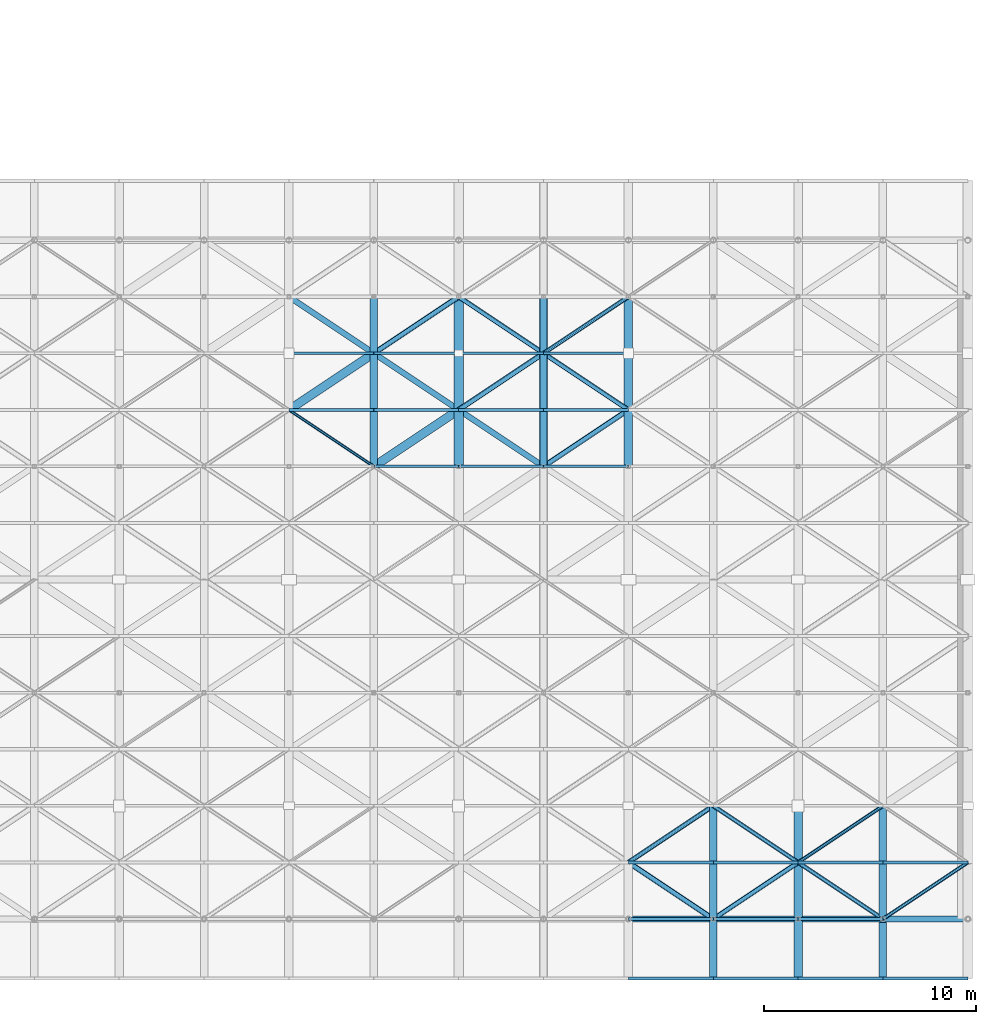
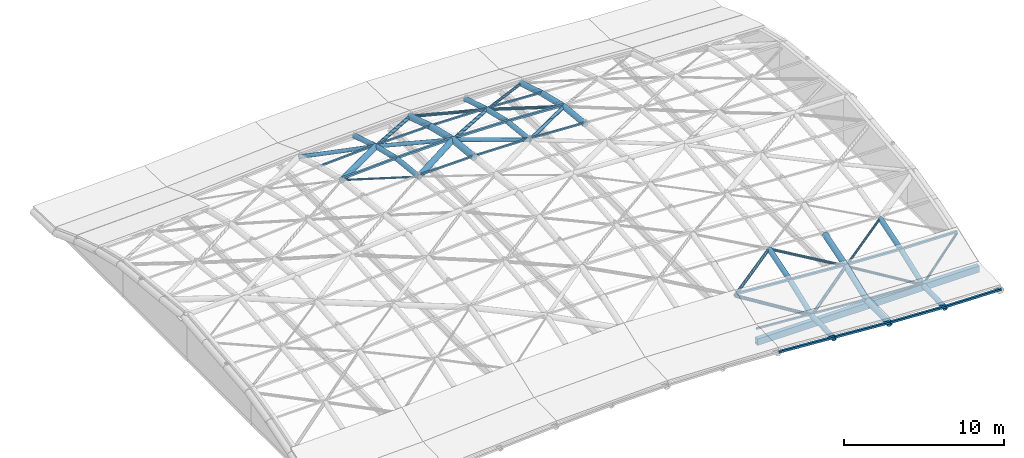
# One storey, part 5 of 20: 41 members, 23 beams.
"""IFC4 building model written with IfcOpenShell, lengths in metres."""

from ifc_helpers import new_model, si_unit, direction, frame, origin, origin_2d, place, context, subcontext, project, spatial, hollow_rectangle, hollow_circle, extrude, material, material_profile, profile_set, type_object, element, save


model = new_model("IFC4")

# Units and contexts
model_context = context("Model", 3, precision=1e-05, world=origin(), true_north=direction((0.0, 1.0)))
body_context = subcontext(model_context, "Body", "Model", "MODEL_VIEW")
ifc_project = project(units=[si_unit("LENGTHUNIT", "METRE"), si_unit("AREAUNIT", "SQUARE_METRE"), si_unit("VOLUMEUNIT", "CUBIC_METRE"), si_unit("PLANEANGLEUNIT", "RADIAN"), si_unit("MASSUNIT", "GRAM", prefix="KILO")], contexts=[model_context])

# Site, building, storey
site_placement = place(None, origin())
site = spatial("IfcSite", under=ifc_project, at=site_placement, CompositionType="ELEMENT")
building_placement = place(site_placement, origin())
building = spatial("IfcBuilding", under=site, at=building_placement, Name="Tenunan Teduh Sports Hall", CompositionType="ELEMENT")
storey_placement = place(building_placement, frame((0.0, 0.0, 23.39990234375)))
storey = spatial("IfcBuildingStorey", under=building, at=storey_placement, Name="RF", CompositionType="ELEMENT", Elevation=23.39990234375)

# Beams
ifc_material_1 = material(Name="Steel S355", Category="steel")
ifc_material_profile_1 = material_profile(ifc_material_1, hollow_circle(Radius=0.177734375, WallThickness=0.012451171875, at=origin_2d()), Name="CHS 355.6x12.5")
ifc_profile_set_1 = profile_set([ifc_material_profile_1], Name="Steel S355")
beam_type_1 = type_object("IfcBeamType", Name="GSB-CHS356", PredefinedType="BEAM", material=ifc_profile_set_1)
beam_1_placement = place(storey_placement, frame((26.0, 35.333251953125, 3.3974609375), z_axis=(0.0, 0.994784282387, -0.102001134878), x_axis=(-1.0, 0.0, 0.0)))
element("IfcBeam", 1, at=beam_1_placement, inside=storey, type_object=beam_type_1, Name="Gridshell Vault Arch BM-GR-04-RF-0346", PredefinedType="BEAM", context=body_context, shape_type="SweptSolid", body=[
    extrude(hollow_circle(Radius=0.177734375, WallThickness=0.012451171875, at=origin_2d()), origin(), (0.0, 0.0, 1.0), 2.6806640625),
])
beam_2_placement = place(storey_placement, frame((26.0, 38.0, 3.1240234375), z_axis=(0.0, 0.972012875749, -0.234927583263), x_axis=(-1.0, 0.0, 0.0)))
element("IfcBeam", 2, at=beam_2_placement, inside=storey, type_object=beam_type_1, Name="Gridshell Vault Arch BM-GR-04-RF-0347", PredefinedType="BEAM", context=body_context, shape_type="SweptSolid", body=[
    extrude(hollow_circle(Radius=0.177734375, WallThickness=0.012451171875, at=origin_2d()), origin(), (0.0, 0.0, 1.0), 2.74365234375),
])
beam_3_placement = place(storey_placement, frame((26.0, 40.666748046875, 2.4794921875), z_axis=(0.0, 0.955399948598, -0.295314981365), x_axis=(-1.0, 0.0, 0.0)))
element("IfcBeam", 3, at=beam_3_placement, inside=storey, type_object=beam_type_1, Name="Gridshell Vault Arch BM-GR-04-RF-0348", PredefinedType="BEAM", context=body_context, shape_type="SweptSolid", body=[
    extrude(hollow_circle(Radius=0.177734375, WallThickness=0.012451171875, at=origin_2d()), origin(), (0.0, 0.0, 1.0), 2.791015625),
])
beam_4_placement = place(storey_placement, frame((34.0, 35.333251953125, 3.3974609375), z_axis=(0.0, 0.994784282387, -0.102001134878), x_axis=(-1.0, 0.0, 0.0)))
element("IfcBeam", 4, at=beam_4_placement, inside=storey, type_object=beam_type_1, Name="Gridshell Vault Arch BM-GR-04-RF-0374", PredefinedType="BEAM", context=body_context, shape_type="SweptSolid", body=[
    extrude(hollow_circle(Radius=0.177734375, WallThickness=0.012451171875, at=origin_2d()), origin(), (0.0, 0.0, 1.0), 2.6806640625),
])
beam_5_placement = place(storey_placement, frame((34.0, 38.0, 3.1240234375), z_axis=(0.0, 0.972012875749, -0.234927583263), x_axis=(-1.0, 0.0, 0.0)))
element("IfcBeam", 5, at=beam_5_placement, inside=storey, type_object=beam_type_1, Name="Gridshell Vault Arch BM-GR-04-RF-0375", PredefinedType="BEAM", context=body_context, shape_type="SweptSolid", body=[
    extrude(hollow_circle(Radius=0.177734375, WallThickness=0.012451171875, at=origin_2d()), origin(), (0.0, 0.0, 1.0), 2.74365234375),
])
beam_6_placement = place(storey_placement, frame((34.0, 40.666748046875, 2.4794921875), z_axis=(0.0, 0.955399948598, -0.295314981365), x_axis=(-1.0, 0.0, 0.0)))
element("IfcBeam", 6, at=beam_6_placement, inside=storey, type_object=beam_type_1, Name="Gridshell Vault Arch BM-GR-04-RF-0376", PredefinedType="BEAM", context=body_context, shape_type="SweptSolid", body=[
    extrude(hollow_circle(Radius=0.177734375, WallThickness=0.012451171875, at=origin_2d()), origin(), (0.0, 0.0, 1.0), 2.791015625),
])
beam_7_placement = place(storey_placement, frame((42.0, 11.199951171875, 0.0927734375), z_axis=(0.0, 0.999610985869, 0.027890445155), x_axis=(-1.0, 0.0, 0.0)))
element("IfcBeam", 7, at=beam_7_placement, inside=storey, type_object=beam_type_1, Name="Gridshell Vault Arch BM-GR-04-RF-0393", PredefinedType="BEAM", context=body_context, shape_type="SweptSolid", body=[
    extrude(hollow_circle(Radius=0.177734375, WallThickness=0.012451171875, at=origin_2d()), origin(), (0.0, 0.0, 1.0), 2.801025390625),
])
beam_8_placement = place(storey_placement, frame((42.0, 14.0, 0.1708984375), z_axis=(0.0, 0.935428675248, 0.353515478479), x_axis=(-1.0, 0.0, 0.0)))
element("IfcBeam", 8, at=beam_8_placement, inside=storey, type_object=beam_type_1, Name="Gridshell Vault Arch BM-GR-04-RF-0394", PredefinedType="BEAM", context=body_context, shape_type="SweptSolid", body=[
    extrude(hollow_circle(Radius=0.177734375, WallThickness=0.012451171875, at=origin_2d()), origin(), (0.0, 0.0, 1.0), 2.850830078125),
])
beam_9_placement = place(storey_placement, frame((42.0, 16.666748046875, 1.1787109375), z_axis=(0.0, 0.955399948598, 0.295314981365), x_axis=(-1.0, 0.0, 0.0)))
element("IfcBeam", 9, at=beam_9_placement, inside=storey, type_object=beam_type_1, Name="Gridshell Vault Arch BM-GR-04-RF-0395", PredefinedType="BEAM", context=body_context, shape_type="SweptSolid", body=[
    extrude(hollow_circle(Radius=0.177734375, WallThickness=0.012451171875, at=origin_2d()), origin(), (0.0, 0.0, 1.0), 2.791015625),
])
beam_10_placement = place(storey_placement, frame((50.0, 11.199951171875, -0.3837890625), z_axis=(0.0, 0.999608075745, 0.027994551361), x_axis=(-1.0, 0.0, 0.0)))
element("IfcBeam", 10, at=beam_10_placement, inside=storey, type_object=beam_type_1, Name="Gridshell Vault Arch BM-GR-04-RF-0421", PredefinedType="BEAM", context=body_context, shape_type="SweptSolid", body=[
    extrude(hollow_circle(Radius=0.177734375, WallThickness=0.012451171875, at=origin_2d()), origin(), (0.0, 0.0, 1.0), 2.651123046875),
])
beam_11_placement = place(storey_placement, frame((50.0, 14.14990234375, -0.2431640625), z_axis=(0.0, 0.936146189375, 0.351611023888), x_axis=(-1.0, 0.0, 0.0)))
element("IfcBeam", 11, at=beam_11_placement, inside=storey, type_object=beam_type_1, Name="Gridshell Vault Arch BM-GR-04-RF-0422", PredefinedType="BEAM", context=body_context, shape_type="SweptSolid", body=[
    extrude(hollow_circle(Radius=0.177734375, WallThickness=0.012451171875, at=origin_2d()), origin(), (0.0, 0.0, 1.0), 2.6884765625),
])
beam_12_placement = place(storey_placement, frame((50.0, 16.666748046875, 0.7021484375), z_axis=(0.0, 0.955399948598, 0.295314981365), x_axis=(-1.0, 0.0, 0.0)))
element("IfcBeam", 12, at=beam_12_placement, inside=storey, type_object=beam_type_1, Name="Gridshell Vault Arch BM-GR-04-RF-0423", PredefinedType="BEAM", context=body_context, shape_type="SweptSolid", body=[
    extrude(hollow_circle(Radius=0.177734375, WallThickness=0.012451171875, at=origin_2d()), origin(), (0.0, 0.0, 1.0), 2.791015625),
])
ifc_material_2 = material(Name="Steel S355", Category="steel")
ifc_material_profile_2 = material_profile(ifc_material_2, hollow_circle(Radius=0.203125, WallThickness=0.01611328125, at=origin_2d()), Name="CHS 406.4x16.0")
ifc_profile_set_2 = profile_set([ifc_material_profile_2], Name="Steel S355")
beam_type_2 = type_object("IfcBeamType", Name="GSB-CHS406", PredefinedType="BEAM", material=ifc_profile_set_2)
beam_13_placement = place(storey_placement, frame((38.0, 35.333251953125, 3.1943359375), z_axis=(0.0, 0.994784282387, -0.102001134878), x_axis=(-1.0, 0.0, 0.0)))
element("IfcBeam", 13, at=beam_13_placement, inside=storey, type_object=beam_type_2, Name="Gridshell Vault Arch BM-GA-02-RF-0388", PredefinedType="BEAM", context=body_context, shape_type="SweptSolid", body=[
    extrude(hollow_circle(Radius=0.203125, WallThickness=0.01611328125, at=origin_2d()), origin(), (0.0, 0.0, 1.0), 2.6806640625),
])
beam_14_placement = place(storey_placement, frame((38.0, 38.0, 2.9208984375), z_axis=(0.0, 0.972012875749, -0.234927583263), x_axis=(-1.0, 0.0, 0.0)))
element("IfcBeam", 14, at=beam_14_placement, inside=storey, type_object=beam_type_2, Name="Gridshell Vault Arch BM-GA-02-RF-0389", PredefinedType="BEAM", context=body_context, shape_type="SweptSolid", body=[
    extrude(hollow_circle(Radius=0.203125, WallThickness=0.01611328125, at=origin_2d()), origin(), (0.0, 0.0, 1.0), 2.74365234375),
])
beam_15_placement = place(storey_placement, frame((38.0, 40.666748046875, 2.2763671875), z_axis=(0.0, 0.955399948598, -0.295314981365), x_axis=(-1.0, 0.0, 0.0)))
element("IfcBeam", 15, at=beam_15_placement, inside=storey, type_object=beam_type_2, Name="Gridshell Vault Arch BM-GA-02-RF-0390", PredefinedType="BEAM", context=body_context, shape_type="SweptSolid", body=[
    extrude(hollow_circle(Radius=0.203125, WallThickness=0.01611328125, at=origin_2d()), origin(), (0.0, 0.0, 1.0), 2.791015625),
])
beam_16_placement = place(storey_placement, frame((46.0, 11.199951171875, -0.1845703125), z_axis=(0.0, 0.999610985869, 0.027890445155), x_axis=(-1.0, 0.0, 0.0)))
element("IfcBeam", 16, at=beam_16_placement, inside=storey, type_object=beam_type_2, Name="Gridshell Vault Arch BM-GA-02-RF-0407", PredefinedType="BEAM", context=body_context, shape_type="SweptSolid", body=[
    extrude(hollow_circle(Radius=0.203125, WallThickness=0.01611328125, at=origin_2d()), origin(), (0.0, 0.0, 1.0), 2.801025390625),
])
beam_17_placement = place(storey_placement, frame((46.0, 14.0, -0.1064453125), z_axis=(0.0, 0.935428675248, 0.353515478479), x_axis=(-1.0, 0.0, 0.0)))
element("IfcBeam", 17, at=beam_17_placement, inside=storey, type_object=beam_type_2, Name="Gridshell Vault Arch BM-GA-02-RF-0408", PredefinedType="BEAM", context=body_context, shape_type="SweptSolid", body=[
    extrude(hollow_circle(Radius=0.203125, WallThickness=0.01611328125, at=origin_2d()), origin(), (0.0, 0.0, 1.0), 2.850830078125),
])
beam_18_placement = place(storey_placement, frame((46.0, 16.666748046875, 0.9013671875), z_axis=(0.0, 0.955399948598, 0.295314981365), x_axis=(-1.0, 0.0, 0.0)))
element("IfcBeam", 18, at=beam_18_placement, inside=storey, type_object=beam_type_2, Name="Gridshell Vault Arch BM-GA-02-RF-0409", PredefinedType="BEAM", context=body_context, shape_type="SweptSolid", body=[
    extrude(hollow_circle(Radius=0.203125, WallThickness=0.01611328125, at=origin_2d()), origin(), (0.0, 0.0, 1.0), 2.791015625),
])
ifc_material_3 = material(Name="Steel S355", Category="steel")
ifc_material_profile_3 = material_profile(ifc_material_3, hollow_circle(Radius=0.228515625, WallThickness=0.01611328125, at=origin_2d()), Name="CHS 457.0x16.0")
ifc_profile_set_3 = profile_set([ifc_material_profile_3], Name="Steel S355")
beam_type_3 = type_object("IfcBeamType", Name="GSB-CHS457", PredefinedType="BEAM", material=ifc_profile_set_3)
beam_19_placement = place(storey_placement, frame((30.0, 35.333251953125, 3.4716796875), z_axis=(0.0, 0.994784282387, -0.102001134878), x_axis=(-1.0, 0.0, 0.0)))
element("IfcBeam", 19, at=beam_19_placement, inside=storey, type_object=beam_type_3, Name="Gridshell Vault Arch BM-GA-01-RF-0360", PredefinedType="BEAM", context=body_context, shape_type="SweptSolid", body=[
    extrude(hollow_circle(Radius=0.228515625, WallThickness=0.01611328125, at=origin_2d()), origin(), (0.0, 0.0, 1.0), 2.6806640625),
])
beam_20_placement = place(storey_placement, frame((30.0, 38.0, 3.1982421875), z_axis=(0.0, 0.972012875749, -0.234927583263), x_axis=(-1.0, 0.0, 0.0)))
element("IfcBeam", 20, at=beam_20_placement, inside=storey, type_object=beam_type_3, Name="Gridshell Vault Arch BM-GA-01-RF-0361", PredefinedType="BEAM", context=body_context, shape_type="SweptSolid", body=[
    extrude(hollow_circle(Radius=0.228515625, WallThickness=0.01611328125, at=origin_2d()), origin(), (0.0, 0.0, 1.0), 2.74365234375),
])
beam_21_placement = place(storey_placement, frame((30.0, 40.666748046875, 2.5537109375), z_axis=(0.0, 0.955399948598, -0.295314981365), x_axis=(-1.0, 0.0, 0.0)))
element("IfcBeam", 21, at=beam_21_placement, inside=storey, type_object=beam_type_3, Name="Gridshell Vault Arch BM-GA-01-RF-0362", PredefinedType="BEAM", context=body_context, shape_type="SweptSolid", body=[
    extrude(hollow_circle(Radius=0.228515625, WallThickness=0.01611328125, at=origin_2d()), origin(), (0.0, 0.0, 1.0), 2.791015625),
])

# Members
ifc_material_4 = material(Name="Steel S355", Category="steel")
ifc_material_profile_4 = material_profile(ifc_material_4, hollow_circle(Radius=0.06982421875, WallThickness=0.00634765625, at=origin_2d()), Name="CHS 139.7x6.3")
ifc_profile_set_4 = profile_set([ifc_material_profile_4], Name="Steel S355")
member_type_1 = type_object("IfcMemberType", Name="MEM-BR-CHS140", PredefinedType="BRACE", material=ifc_profile_set_4)
member_1_placement = place(storey_placement, frame((22.0, 38.0, 2.9208984375), z_axis=(0.827984222016, -0.552006326726, 0.098646557701), x_axis=(0.554711915519, 0.832042481356, 0.0)))
element("IfcMember", 22, at=member_1_placement, inside=storey, type_object=member_type_1, Name="MEM-GD-05-RF-0641", PredefinedType="BRACE", context=body_context, shape_type="SweptSolid", body=[
    extrude(hollow_circle(Radius=0.06982421875, WallThickness=0.00634765625, at=origin_2d()), origin(), (0.0, 0.0, 1.0), 4.8310546875),
])
ifc_material_5 = material(Name="Steel S355", Category="steel")
ifc_material_profile_5 = material_profile(ifc_material_5, hollow_circle(Radius=0.084228515625, WallThickness=0.008056640625, at=origin_2d()), Name="CHS 168.3x8.0")
ifc_profile_set_5 = profile_set([ifc_material_profile_5], Name="Steel S355")
member_type_2 = type_object("IfcMemberType", Name="MEM-BR-CHS168", PredefinedType="BRACE", material=ifc_profile_set_5)
member_2_placement = place(storey_placement, frame((46.0, 16.666748046875, 0.9013671875), z_axis=(0.825121757289, 0.550047597235, 0.128925274576), x_axis=(-0.554676756648, 0.832065920246, 0.0)))
element("IfcMember", 23, at=member_2_placement, inside=storey, type_object=member_type_2, Name="MEM-GD-04-RF-0796", PredefinedType="BRACE", context=body_context, shape_type="SweptSolid", body=[
    extrude(hollow_circle(Radius=0.084228515625, WallThickness=0.008056640625, at=origin_2d()), origin(), (0.0, 0.0, 1.0), 4.84765625),
])
member_3_placement = place(storey_placement, frame((50.0, 14.0, -0.3056640625), z_axis=(0.816783485072, 0.544538940884, 0.190635989192), x_axis=(-0.554711915519, 0.832042481356, 0.0)))
element("IfcMember", 24, at=member_3_placement, inside=storey, type_object=member_type_2, Name="MEM-GD-04-RF-0820", PredefinedType="BRACE", context=body_context, shape_type="SweptSolid", body=[
    extrude(hollow_circle(Radius=0.084228515625, WallThickness=0.008056640625, at=origin_2d()), origin(), (0.0, 0.0, 1.0), 4.897216796875),
])
ifc_material_6 = material(Name="Steel S355", Category="steel")
ifc_material_profile_6 = material_profile(ifc_material_6, hollow_circle(Radius=0.096923828125, WallThickness=0.008056640625, at=origin_2d()), Name="CHS 193.7x8.0")
ifc_profile_set_6 = profile_set([ifc_material_profile_6], Name="Steel S355")
member_type_3 = type_object("IfcMemberType", Name="MEM-BR-CHS194", PredefinedType="BRACE", material=ifc_profile_set_6)
member_4_placement = place(storey_placement, frame((34.0, 40.666748046875, 2.4794921875), z_axis=(0.81369284432, 0.542428786967, -0.208985564508), x_axis=(-0.554676756648, 0.832065920246, 0.0)))
element("IfcMember", 25, at=member_4_placement, inside=storey, type_object=member_type_3, Name="MEM-GD-03-RF-0724", PredefinedType="BRACE", context=body_context, shape_type="SweptSolid", body=[
    extrude(hollow_circle(Radius=0.096923828125, WallThickness=0.008056640625, at=origin_2d()), origin(), (0.0, 0.0, 1.0), 4.915771484375),
])
member_5_placement = place(storey_placement, frame((42.0, 19.333251953125, 2.0029296875), z_axis=(0.811045695554, -0.540664128836, -0.223354381002), x_axis=(0.554676756648, 0.832065920246, 0.0)))
element("IfcMember", 26, at=member_5_placement, inside=storey, type_object=member_type_3, Name="MEM-GD-03-RF-0769", PredefinedType="BRACE", context=body_context, shape_type="SweptSolid", body=[
    extrude(hollow_circle(Radius=0.096923828125, WallThickness=0.008056640625, at=origin_2d()), origin(), (0.0, 0.0, 1.0), 4.931884765625),
])
member_6_placement = place(storey_placement, frame((46.0, 16.666748046875, 0.9013671875), z_axis=(0.806995177005, -0.538013203029, -0.243517099311), x_axis=(0.554711915519, 0.832042481356, 0.0)))
element("IfcMember", 27, at=member_6_placement, inside=storey, type_object=member_type_3, Name="MEM-GD-03-RF-0795", PredefinedType="BRACE", context=body_context, shape_type="SweptSolid", body=[
    extrude(hollow_circle(Radius=0.096923828125, WallThickness=0.008056640625, at=origin_2d()), origin(), (0.0, 0.0, 1.0), 4.95654296875),
])
ifc_material_7 = material(Name="Steel S355", Category="steel")
ifc_material_profile_7 = material_profile(ifc_material_7, hollow_circle(Radius=0.109619140625, WallThickness=0.010009765625, at=origin_2d()), Name="CHS 219.1x10.0")
ifc_profile_set_7 = profile_set([ifc_material_profile_7], Name="Steel S355")
member_type_4 = type_object("IfcMemberType", Name="MEM-BR-CHS219", PredefinedType="BRACE", material=ifc_profile_set_7)
member_7_placement = place(storey_placement, frame((30.0, 43.333251953125, 1.7294921875), z_axis=(0.822120918816, -0.548047160358, 0.154147672278), x_axis=(0.554676756648, 0.832065920246, 0.0)))
element("IfcMember", 28, at=member_7_placement, inside=storey, type_object=member_type_4, Name="MEM-GD-02-RF-0697", PredefinedType="BRACE", context=body_context, shape_type="SweptSolid", body=[
    extrude(hollow_circle(Radius=0.109619140625, WallThickness=0.010009765625, at=origin_2d()), origin(), (0.0, 0.0, 1.0), 4.865478515625),
])
member_8_placement = place(storey_placement, frame((34.0, 40.666748046875, 2.4794921875), z_axis=(0.828557278372, -0.552388375955, 0.091432590289), x_axis=(0.554711915519, 0.832042481356, 0.0)))
element("IfcMember", 29, at=member_8_placement, inside=storey, type_object=member_type_4, Name="MEM-GD-02-RF-0723", PredefinedType="BRACE", context=body_context, shape_type="SweptSolid", body=[
    extrude(hollow_circle(Radius=0.109619140625, WallThickness=0.010009765625, at=origin_2d()), origin(), (0.0, 0.0, 1.0), 4.82763671875),
])
member_9_placement = place(storey_placement, frame((38.0, 16.666748046875, 1.4521484375), z_axis=(0.826657985926, 0.551071687151, 0.113826929703), x_axis=(-0.554676756648, 0.832065920246, 0.0)))
element("IfcMember", 30, at=member_9_placement, inside=storey, type_object=member_type_4, Name="MEM-GD-02-RF-0742", PredefinedType="BRACE", context=body_context, shape_type="SweptSolid", body=[
    extrude(hollow_circle(Radius=0.109619140625, WallThickness=0.010009765625, at=origin_2d()), origin(), (0.0, 0.0, 1.0), 4.8388671875),
])
member_10_placement = place(storey_placement, frame((42.0, 14.0, 0.1708984375), z_axis=(0.822600824873, 0.548417285772, 0.150221049073), x_axis=(-0.554711915519, 0.832042481356, 0.0)))
element("IfcMember", 31, at=member_10_placement, inside=storey, type_object=member_type_4, Name="MEM-GD-02-RF-0768", PredefinedType="BRACE", context=body_context, shape_type="SweptSolid", body=[
    extrude(hollow_circle(Radius=0.109619140625, WallThickness=0.010009765625, at=origin_2d()), origin(), (0.0, 0.0, 1.0), 4.862548828125),
])
ifc_material_8 = material(Name="Steel S355", Category="steel")
ifc_material_profile_8 = material_profile(ifc_material_8, hollow_circle(Radius=0.122314453125, WallThickness=0.010009765625, at=origin_2d()), Name="CHS 244.5x10.0")
ifc_profile_set_8 = profile_set([ifc_material_profile_8], Name="Steel S355")
member_type_5 = type_object("IfcMemberType", Name="MEM-BR-CHS245", PredefinedType="BRACE", material=ifc_profile_set_8)
member_11_placement = place(storey_placement, frame((26.0, 40.666748046875, 2.4794921875), z_axis=(0.822120918816, 0.548047160358, -0.154147672278), x_axis=(-0.554676756648, 0.832065920246, 0.0)))
element("IfcMember", 32, at=member_11_placement, inside=storey, type_object=member_type_5, Name="MEM-GD-01-RF-0670", PredefinedType="BRACE", context=body_context, shape_type="SweptSolid", body=[
    extrude(hollow_circle(Radius=0.122314453125, WallThickness=0.010009765625, at=origin_2d()), origin(), (0.0, 0.0, 1.0), 4.865478515625),
])
member_12_placement = place(storey_placement, frame((30.0, 38.0, 3.1982421875), z_axis=(0.822896399195, 0.548614341334, -0.14786419673), x_axis=(-0.554711915519, 0.832042481356, 0.0)))
element("IfcMember", 33, at=member_12_placement, inside=storey, type_object=member_type_5, Name="MEM-GD-01-RF-0696", PredefinedType="BRACE", context=body_context, shape_type="SweptSolid", body=[
    extrude(hollow_circle(Radius=0.122314453125, WallThickness=0.010009765625, at=origin_2d()), origin(), (0.0, 0.0, 1.0), 4.86083984375),
])
member_13_placement = place(storey_placement, frame((34.0, 35.333251953125, 3.3974609375), z_axis=(0.827984222016, 0.552006326726, -0.098646557701), x_axis=(-0.554711915519, 0.832042481356, 0.0)))
element("IfcMember", 34, at=member_13_placement, inside=storey, type_object=member_type_5, Name="MEM-GD-01-RF-0722", PredefinedType="BRACE", context=body_context, shape_type="SweptSolid", body=[
    extrude(hollow_circle(Radius=0.122314453125, WallThickness=0.010009765625, at=origin_2d()), origin(), (0.0, 0.0, 1.0), 4.8310546875),
])
member_14_placement = place(storey_placement, frame((38.0, 16.666748046875, 1.4521484375), z_axis=(0.803979144991, -0.536002453658, -0.25752456988), x_axis=(0.554711915519, 0.832042481356, 0.0)))
element("IfcMember", 35, at=member_14_placement, inside=storey, type_object=member_type_5, Name="MEM-GD-01-RF-0741", PredefinedType="BRACE", context=body_context, shape_type="SweptSolid", body=[
    extrude(hollow_circle(Radius=0.122314453125, WallThickness=0.010009765625, at=origin_2d()), origin(), (0.0, 0.0, 1.0), 4.975341796875),
])
ifc_material_9 = material(Name="Steel S355", Category="steel")
ifc_material_profile_9 = material_profile(ifc_material_9, hollow_circle(Radius=0.136474609375, WallThickness=0.010009765625, at=origin_2d()), Name="CHS 273.0x10.0")
ifc_profile_set_9 = profile_set([ifc_material_profile_9], Name="Steel S355")
member_type_6 = type_object("IfcMemberType", Name="MEM-CH-CHS273", PredefinedType="CHORD", material=ifc_profile_set_9)
member_15_placement = place(storey_placement, frame((22.0, 43.333251953125, 1.4521484375), z_axis=(0.81369284432, -0.542428786967, 0.208985564508), x_axis=(0.554676756648, 0.832065920246, 0.0)))
element("IfcMember", 36, at=member_15_placement, inside=storey, type_object=member_type_6, Name="MEM-GC-03-RF-0643", PredefinedType="CHORD", context=body_context, shape_type="SweptSolid", body=[
    extrude(hollow_circle(Radius=0.136474609375, WallThickness=0.010009765625, at=origin_2d()), origin(), (0.0, 0.0, 1.0), 4.915771484375),
])
member_16_placement = place(storey_placement, frame((26.0, 40.666748046875, 2.4794921875), z_axis=(0.822896399195, -0.548614341334, 0.14786419673), x_axis=(0.554711915519, 0.832042481356, 0.0)))
element("IfcMember", 37, at=member_16_placement, inside=storey, type_object=member_type_6, Name="MEM-GC-03-RF-0669", PredefinedType="CHORD", context=body_context, shape_type="SweptSolid", body=[
    extrude(hollow_circle(Radius=0.136474609375, WallThickness=0.010009765625, at=origin_2d()), origin(), (0.0, 0.0, 1.0), 4.86083984375),
])
member_17_placement = place(storey_placement, frame((30.0, 38.0, 3.1982421875), z_axis=(0.831328991106, -0.554236240836, 0.041404080612), x_axis=(0.554711915519, 0.832042481356, 0.0)))
element("IfcMember", 38, at=member_17_placement, inside=storey, type_object=member_type_6, Name="MEM-GC-03-RF-0695", PredefinedType="CHORD", context=body_context, shape_type="SweptSolid", body=[
    extrude(hollow_circle(Radius=0.136474609375, WallThickness=0.010009765625, at=origin_2d()), origin(), (0.0, 0.0, 1.0), 4.8115234375),
])
ifc_material_10 = material(Name="Steel S355", Category="steel")
ifc_material_profile_10 = material_profile(ifc_material_10, hollow_circle(Radius=0.203125, WallThickness=0.012451171875, at=origin_2d()), Name="CHS 406.4x12.5")
ifc_profile_set_10 = profile_set([ifc_material_profile_10], Name="Steel S355")
member_type_7 = type_object("IfcMemberType", Name="MEM-CH-CHS406L", PredefinedType="CHORD", material=ifc_profile_set_10)
member_18_placement = place(storey_placement, frame((22.0, 38.0, 2.9208984375), z_axis=(0.828557278372, 0.552388375955, -0.091432590289), x_axis=(-0.554711915519, 0.832042481356, 0.0)))
element("IfcMember", 39, at=member_18_placement, inside=storey, type_object=member_type_7, Name="MEM-GC-01-RF-0642", PredefinedType="CHORD", context=body_context, shape_type="SweptSolid", body=[
    extrude(hollow_circle(Radius=0.203125, WallThickness=0.012451171875, at=origin_2d()), origin(), (0.0, 0.0, 1.0), 4.82763671875),
])
member_19_placement = place(storey_placement, frame((26.0, 35.333251953125, 3.3974609375), z_axis=(0.831328991106, 0.554236240836, -0.041404080612), x_axis=(-0.554711915519, 0.832042481356, 0.0)))
element("IfcMember", 40, at=member_19_placement, inside=storey, type_object=member_type_7, Name="MEM-GC-01-RF-0668", PredefinedType="CHORD", context=body_context, shape_type="SweptSolid", body=[
    extrude(hollow_circle(Radius=0.203125, WallThickness=0.012451171875, at=origin_2d()), origin(), (0.0, 0.0, 1.0), 4.8115234375),
])
ifc_material_11 = material(Name="Steel S355", Category="steel")
ifc_material_profile_11 = material_profile(ifc_material_11, hollow_rectangle(XDim=0.1201171875, YDim=0.1201171875, WallThickness=0.00634765625, at=origin_2d()), Name="SHS 120x120x6.3")
ifc_profile_set_11 = profile_set([ifc_material_profile_11], Name="Steel S355")
member_type_8 = type_object("IfcMemberType", Name="MEM-PR-SHS120", PredefinedType="PURLIN", material=ifc_profile_set_11)
member_20_placement = place(storey_placement, frame((22.0, 40.666748046875, 2.396240234375), z_axis=(0.998713120681, 0.0, 0.05071590066), x_axis=(0.0, 1.0, 0.0)))
element("IfcMember", 41, at=member_20_placement, inside=storey, type_object=member_type_8, Name="MEM-PR-02-RF-0629", PredefinedType="PURLIN", context=body_context, shape_type="SweptSolid", body=[
    extrude(hollow_rectangle(XDim=0.1201171875, YDim=0.1201171875, WallThickness=0.00634765625, at=origin_2d()), origin(), (0.0, 0.0, 1.0), 4.005126953125),
])
for number, where, z_axis, x_axis, name in (
    (42, (26.0, 35.333251953125, 3.517333984375), (0.99982790622, 0.0, 0.018551494354), (0.0, 1.0, 0.0), "MEM-PR-02-RF-0654"),
    (43, (26.0, 40.666748046875, 2.599365234375), (0.99982790622, 0.0, 0.018551494354), (0.0, 1.0, 0.0), "MEM-PR-02-RF-0656"),
    (44, (30.0, 35.333251953125, 3.591552734375), (0.99982790622, 0.0, -0.018551494354), (0.0, 1.0, 0.0), "MEM-PR-02-RF-0681"),
    (45, (30.0, 40.666748046875, 2.673583984375), (0.99982790622, 0.0, -0.018551494354), (0.0, 1.0, 0.0), "MEM-PR-02-RF-0683"),
):
    element("IfcMember", number, at=place(storey_placement, frame(where, z_axis=z_axis, x_axis=x_axis)), inside=storey, type_object=member_type_8, Name=name, PredefinedType="PURLIN", context=body_context, shape_type="SweptSolid", body=[
        extrude(hollow_rectangle(XDim=0.1201171875, YDim=0.1201171875, WallThickness=0.00634765625, at=origin_2d()), origin(), (0.0, 0.0, 1.0), 4.000732421875),
    ])
for number, where, z_axis, x_axis, name in (
    (46, (34.0, 35.333251953125, 3.517333984375), (0.998713120681, 0.0, -0.05071590066), (0.0, 1.0, 0.0), "MEM-PR-02-RF-0708"),
    (47, (34.0, 40.666748046875, 2.599365234375), (0.998713120681, 0.0, -0.05071590066), (0.0, 1.0, 0.0), "MEM-PR-02-RF-0710"),
):
    element("IfcMember", number, at=place(storey_placement, frame(where, z_axis=z_axis, x_axis=x_axis)), inside=storey, type_object=member_type_8, Name=name, PredefinedType="PURLIN", context=body_context, shape_type="SweptSolid", body=[
        extrude(hollow_rectangle(XDim=0.1201171875, YDim=0.1201171875, WallThickness=0.00634765625, at=origin_2d()), origin(), (0.0, 0.0, 1.0), 4.005126953125),
    ])
member_21_placement = place(storey_placement, frame((38.0, 14.0, 0.564208984375), z_axis=(0.997671655029, 0.0, -0.068200210793), x_axis=(0.0, 1.0, 0.0)))
element("IfcMember", 48, at=member_21_placement, inside=storey, type_object=member_type_8, Name="MEM-PR-02-RF-0727", PredefinedType="PURLIN", context=body_context, shape_type="SweptSolid", body=[
    extrude(hollow_rectangle(XDim=0.1201171875, YDim=0.1201171875, WallThickness=0.00634765625, at=origin_2d()), origin(), (0.0, 0.0, 1.0), 4.00927734375),
])
member_22_placement = place(storey_placement, frame((42.0, 14.0, 0.290771484375), z_axis=(0.99760489623, 0.0, -0.069169870735), x_axis=(0.0, 1.0, 0.0)))
element("IfcMember", 49, at=member_22_placement, inside=storey, type_object=member_type_8, Name="MEM-PR-02-RF-0754", PredefinedType="PURLIN", context=body_context, shape_type="SweptSolid", body=[
    extrude(hollow_rectangle(XDim=0.1201171875, YDim=0.1201171875, WallThickness=0.00634765625, at=origin_2d()), origin(), (0.0, 0.0, 1.0), 4.009521484375),
])
member_23_placement = place(storey_placement, frame((46.0, 14.0, 0.013427734375), z_axis=(0.998762049135, 0.0, -0.049743031744), x_axis=(0.0, 1.0, 0.0)))
element("IfcMember", 50, at=member_23_placement, inside=storey, type_object=member_type_8, Name="MEM-PR-02-RF-0781", PredefinedType="PURLIN", context=body_context, shape_type="SweptSolid", body=[
    extrude(hollow_rectangle(XDim=0.1201171875, YDim=0.1201171875, WallThickness=0.00634765625, at=origin_2d()), origin(), (0.0, 0.0, 1.0), 4.0048828125),
])
ifc_material_12 = material(Name="Steel S355", Category="steel")
ifc_material_profile_12 = material_profile(ifc_material_12, hollow_rectangle(XDim=0.14990234375, YDim=0.14990234375, WallThickness=0.008056640625, at=origin_2d()), Name="SHS 150x150x8.0")
ifc_profile_set_12 = profile_set([ifc_material_profile_12], Name="Steel S355")
member_type_9 = type_object("IfcMemberType", Name="MEM-PR-SHS150", PredefinedType="PURLIN", material=ifc_profile_set_12)
member_24_placement = place(storey_placement, frame((22.0, 38.0, 3.040771484375), z_axis=(0.998713120681, 0.0, 0.05071590066), x_axis=(0.0, 1.0, 0.0)))
element("IfcMember", 51, at=member_24_placement, inside=storey, type_object=member_type_9, Name="MEM-PR-01-RF-0628", PredefinedType="PURLIN", context=body_context, shape_type="SweptSolid", body=[
    extrude(hollow_rectangle(XDim=0.14990234375, YDim=0.14990234375, WallThickness=0.008056640625, at=origin_2d()), origin(), (0.0, 0.0, 1.0), 4.005126953125),
])
for number, where, z_axis, x_axis, name in (
    (52, (26.0, 38.0, 3.243896484375), (0.99982790622, 0.0, 0.018551494354), (0.0, 1.0, 0.0), "MEM-PR-01-RF-0655"),
    (53, (30.0, 38.0, 3.318115234375), (0.99982790622, 0.0, -0.018551494354), (0.0, 1.0, 0.0), "MEM-PR-01-RF-0682"),
):
    element("IfcMember", number, at=place(storey_placement, frame(where, z_axis=z_axis, x_axis=x_axis)), inside=storey, type_object=member_type_9, Name=name, PredefinedType="PURLIN", context=body_context, shape_type="SweptSolid", body=[
        extrude(hollow_rectangle(XDim=0.14990234375, YDim=0.14990234375, WallThickness=0.008056640625, at=origin_2d()), origin(), (0.0, 0.0, 1.0), 4.000732421875),
    ])
member_25_placement = place(storey_placement, frame((34.0, 38.0, 3.243896484375), z_axis=(0.998713120681, 0.0, -0.05071590066), x_axis=(0.0, 1.0, 0.0)))
element("IfcMember", 54, at=member_25_placement, inside=storey, type_object=member_type_9, Name="MEM-PR-01-RF-0709", PredefinedType="PURLIN", context=body_context, shape_type="SweptSolid", body=[
    extrude(hollow_rectangle(XDim=0.14990234375, YDim=0.14990234375, WallThickness=0.008056640625, at=origin_2d()), origin(), (0.0, 0.0, 1.0), 4.005126953125),
])
for number, where, z_axis, x_axis, name in (
    (55, (38.0, 11.199951171875, 0.486083984375), (0.997671655029, 0.0, -0.068200210793), (0.0, 1.0, 0.0), "MEM-PR-01-RF-0726"),
    (56, (38.0, 16.666748046875, 1.572021484375), (0.997671655029, 0.0, -0.068200210793), (0.0, 1.0, 0.0), "MEM-PR-01-RF-0728"),
):
    element("IfcMember", number, at=place(storey_placement, frame(where, z_axis=z_axis, x_axis=x_axis)), inside=storey, type_object=member_type_9, Name=name, PredefinedType="PURLIN", context=body_context, shape_type="SweptSolid", body=[
        extrude(hollow_rectangle(XDim=0.14990234375, YDim=0.14990234375, WallThickness=0.008056640625, at=origin_2d()), origin(), (0.0, 0.0, 1.0), 4.00927734375),
    ])
for number, where, z_axis, x_axis, name in (
    (57, (42.0, 11.199951171875, 0.212646484375), (0.99760489623, 0.0, -0.069169870735), (0.0, 1.0, 0.0), "MEM-PR-01-RF-0753"),
    (58, (42.0, 16.666748046875, 1.298583984375), (0.99760489623, 0.0, -0.069169870735), (0.0, 1.0, 0.0), "MEM-PR-01-RF-0755"),
):
    element("IfcMember", number, at=place(storey_placement, frame(where, z_axis=z_axis, x_axis=x_axis)), inside=storey, type_object=member_type_9, Name=name, PredefinedType="PURLIN", context=body_context, shape_type="SweptSolid", body=[
        extrude(hollow_rectangle(XDim=0.14990234375, YDim=0.14990234375, WallThickness=0.008056640625, at=origin_2d()), origin(), (0.0, 0.0, 1.0), 4.009521484375),
    ])
for number, where, z_axis, x_axis, name in (
    (59, (46.0, 11.199951171875, -0.064697265625), (0.998762049135, 0.0, -0.049743031744), (0.0, 1.0, 0.0), "MEM-PR-01-RF-0780"),
    (60, (46.0, 16.666748046875, 1.021240234375), (0.998762049135, 0.0, -0.049743031744), (0.0, 1.0, 0.0), "MEM-PR-01-RF-0782"),
):
    element("IfcMember", number, at=place(storey_placement, frame(where, z_axis=z_axis, x_axis=x_axis)), inside=storey, type_object=member_type_9, Name=name, PredefinedType="PURLIN", context=body_context, shape_type="SweptSolid", body=[
        extrude(hollow_rectangle(XDim=0.14990234375, YDim=0.14990234375, WallThickness=0.008056640625, at=origin_2d()), origin(), (0.0, 0.0, 1.0), 4.0048828125),
    ])
for number, where, z_axis, x_axis, name in (
    (61, (50.0, 11.199951171875, -0.263916015625), (0.99982790622, 0.0, -0.018551494354), (0.0, 1.0, 0.0), "MEM-PR-01-RF-0807"),
    (62, (50.0, 16.666748046875, 0.822021484375), (0.99982790622, 0.0, -0.018551494354), (0.0, 1.0, 0.0), "MEM-PR-01-RF-0808"),
):
    element("IfcMember", number, at=place(storey_placement, frame(where, z_axis=z_axis, x_axis=x_axis)), inside=storey, type_object=member_type_9, Name=name, PredefinedType="PURLIN", context=body_context, shape_type="SweptSolid", body=[
        extrude(hollow_rectangle(XDim=0.14990234375, YDim=0.14990234375, WallThickness=0.008056640625, at=origin_2d()), origin(), (0.0, 0.0, 1.0), 4.000732421875),
    ])

# Beams
ifc_material_13 = material(Name="Steel S355", Category="steel")
ifc_material_profile_13 = material_profile(ifc_material_13, hollow_rectangle(XDim=0.300048828125, YDim=0.5, WallThickness=0.01611328125, at=origin_2d()), Name="RHS 500x300x16.0")
ifc_profile_set_13 = profile_set([ifc_material_profile_13], Name="Steel S355")
beam_type_4 = type_object("IfcBeamType", Name="RBM-RHS500", PredefinedType="SPANDREL", material=ifc_profile_set_13)
for number, where, z_axis, x_axis, name in (
    (63, (38.0, 14.0, -0.409912109375), (1.0, 0.0, 0.0), (0.0, 1.0, 0.0), "Perimeter Ring Beam BM-RB-01-RF-0250"),
    (64, (46.0, 14.0, -0.409912109375), (1.0, 0.0, 0.0), (0.0, 1.0, 0.0), "Perimeter Ring Beam BM-RB-01-RF-0252"),
):
    element("IfcBeam", number, at=place(storey_placement, frame(where, z_axis=z_axis, x_axis=x_axis)), inside=storey, type_object=beam_type_4, Name=name, PredefinedType="SPANDREL", context=body_context, shape_type="SweptSolid", body=[
        extrude(hollow_rectangle(XDim=0.300048828125, YDim=0.5, WallThickness=0.01611328125, at=origin_2d()), origin(), (0.0, 0.0, 1.0), 8.0),
    ])

save(model, "model.ifc")
